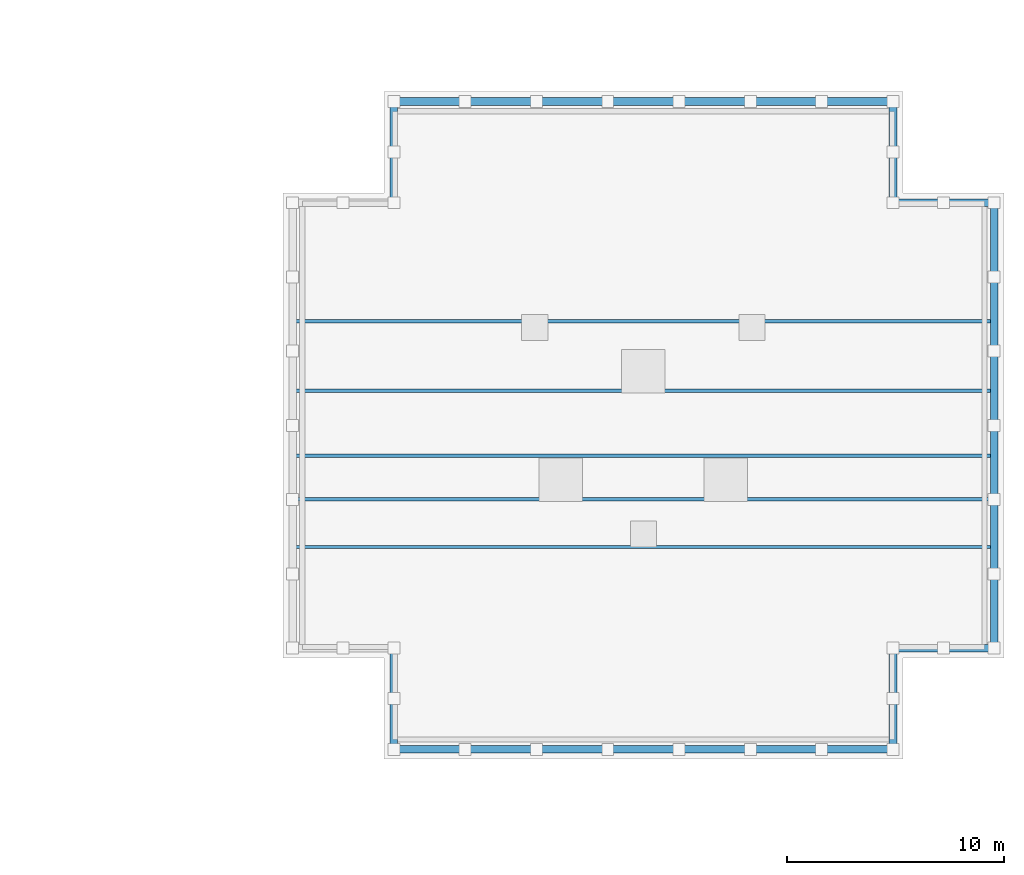
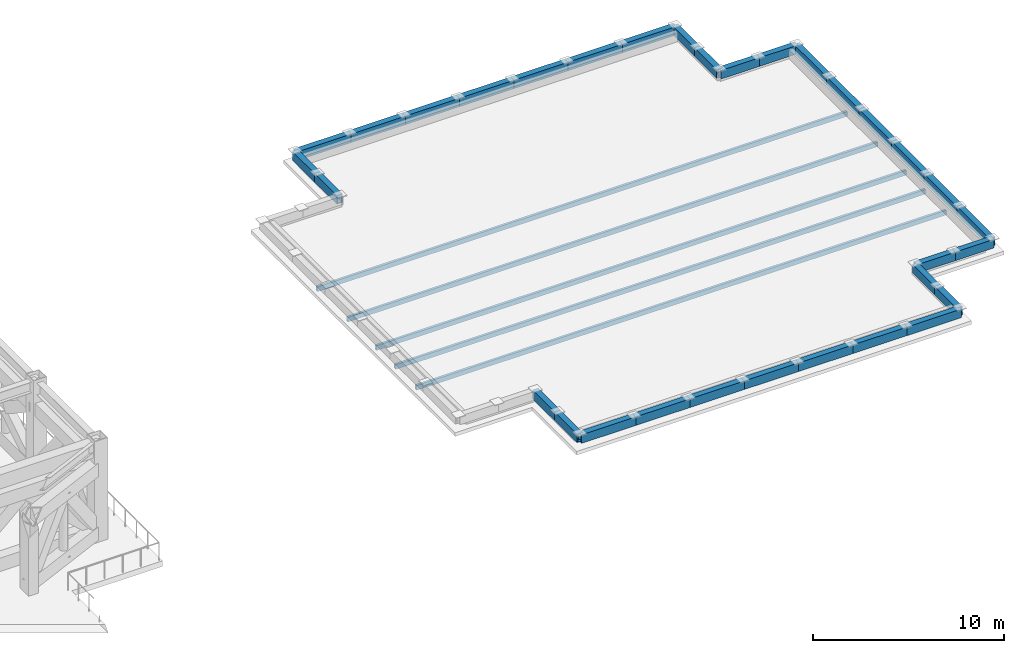
# One storey, part 3 of 11: 37 members.
"""IFC4 building model written with IfcOpenShell, lengths in metres."""

from ifc_helpers import new_model, si_unit, direction, frame, origin, origin_2d, place, context, subcontext, project, spatial, hollow_rectangle, extrude, material, material_profile, profile_set, type_object, element, save


model = new_model("IFC4")

# Units and contexts
model_context = context("Model", 3, precision=1e-05, world=origin(), true_north=direction((0.0, 1.0)))
body_context = subcontext(model_context, "Body", "Model", "MODEL_VIEW")
ifc_project = project(units=[si_unit("LENGTHUNIT", "METRE"), si_unit("AREAUNIT", "SQUARE_METRE"), si_unit("VOLUMEUNIT", "CUBIC_METRE"), si_unit("PLANEANGLEUNIT", "RADIAN"), si_unit("MASSUNIT", "GRAM", prefix="KILO")], contexts=[model_context])

# Site, building, storey
site_placement = place(None, origin())
site = spatial("IfcSite", under=ifc_project, at=site_placement, CompositionType="ELEMENT")
building_placement = place(site_placement, origin())
building = spatial("IfcBuilding", under=site, at=building_placement, Name="Mirazonda Arch Towers", CompositionType="ELEMENT")
storey_placement = place(building_placement, frame((0.0, 0.0, 212.89990234375)))
storey = spatial("IfcBuildingStorey", under=building, at=storey_placement, Name="L61", CompositionType="ELEMENT", Elevation=212.89990234375)

# Members
ifc_material = material(Name="Steel ASTM A572 Grade 50", Category="steel")
ifc_material_profile_1 = material_profile(ifc_material, hollow_rectangle(XDim=0.35009765625, YDim=0.550048828125, WallThickness=0.030029296875, at=origin_2d()), Name="CROWNFRAME550x350x30")
ifc_profile_set_1 = profile_set([ifc_material_profile_1], Name="Steel ASTM A572 Grade 50")
member_type_1 = type_object("IfcMemberType", Name="MBR-EXT-CROWNFRAME550x350x30", PredefinedType="USERDEFINED", material=ifc_profile_set_1)
for number, where, z_axis, x_axis, name in (
    (1, (65.01220703125, 13.091552734375, 0.47021484375), (1.0, 0.0, 0.0), (0.0, 1.0, 0.0), "T2 Ring Crown Cap Beam 3-01"),
    (2, (68.29443359375, 13.091552734375, 0.47021484375), (1.0, 0.0, 0.0), (0.0, 1.0, 0.0), "T2 Ring Crown Cap Beam 3-02"),
    (3, (71.57666015625, 13.091552734375, 0.47021484375), (1.0, 0.0, 0.0), (0.0, 1.0, 0.0), "T2 Ring Crown Cap Beam 3-03"),
    (4, (74.85888671875, 13.091552734375, 0.47021484375), (1.0, 0.0, 0.0), (0.0, 1.0, 0.0), "T2 Ring Crown Cap Beam 3-04"),
    (5, (78.14111328125, 13.091552734375, 0.47021484375), (1.0, 0.0, 0.0), (0.0, 1.0, 0.0), "T2 Ring Crown Cap Beam 3-05"),
    (6, (81.42333984375, 13.091552734375, 0.47021484375), (1.0, 0.0, 0.0), (0.0, 1.0, 0.0), "T2 Ring Crown Cap Beam 3-06"),
    (7, (84.70556640625, 13.091552734375, 0.47021484375), (1.0, 0.0, 0.0), (0.0, 1.0, 0.0), "T2 Ring Crown Cap Beam 3-07"),
):
    element("IfcMember", number, at=place(storey_placement, frame(where, z_axis=z_axis, x_axis=x_axis)), inside=storey, type_object=member_type_1, Name=name, ObjectType="CROWN FRAME", PredefinedType="USERDEFINED", context=body_context, shape_type="SweptSolid", body=[
        extrude(hollow_rectangle(XDim=0.35009765625, YDim=0.550048828125, WallThickness=0.030029296875, at=origin_2d()), origin(), (0.0, 0.0, 1.0), 3.2822265625),
    ])
for number, where, z_axis, x_axis, name in (
    (8, (87.98779296875, 13.091552734375, 0.47021484375), (0.0, 1.0, 0.0), (-1.0, 0.0, 0.0), "T2 Ring Crown Cap Beam 3-08"),
    (9, (87.98779296875, 15.42138671875, 0.47021484375), (0.0, 1.0, 0.0), (-1.0, 0.0, 0.0), "T2 Ring Crown Cap Beam 3-09"),
    (10, (87.98779296875, 17.751220703125, 0.47021484375), (1.0, 0.0, 0.0), (0.0, 1.0, 0.0), "T2 Ring Crown Cap Beam 3-10"),
    (11, (90.317626953125, 17.751220703125, 0.47021484375), (1.0, 0.0, 0.0), (0.0, 1.0, 0.0), "T2 Ring Crown Cap Beam 3-11"),
):
    element("IfcMember", number, at=place(storey_placement, frame(where, z_axis=z_axis, x_axis=x_axis)), inside=storey, type_object=member_type_1, Name=name, ObjectType="CROWN FRAME", PredefinedType="USERDEFINED", context=body_context, shape_type="SweptSolid", body=[
        extrude(hollow_rectangle(XDim=0.35009765625, YDim=0.550048828125, WallThickness=0.030029296875, at=origin_2d()), origin(), (0.0, 0.0, 1.0), 2.329833984375),
    ])
for number, where, z_axis, x_axis, name in (
    (12, (92.6474609375, 17.751220703125, 0.47021484375), (0.0, 1.0, 0.0), (-1.0, 0.0, 0.0), "T2 Ring Crown Cap Beam 3-12"),
    (13, (92.6474609375, 21.16748046875, 0.47021484375), (0.0, 1.0, 0.0), (-1.0, 0.0, 0.0), "T2 Ring Crown Cap Beam 3-13"),
    (14, (92.6474609375, 24.583740234375, 0.47021484375), (0.0, 1.0, 0.0), (-1.0, 0.0, 0.0), "T2 Ring Crown Cap Beam 3-14"),
    (15, (92.6474609375, 28.0, 0.47021484375), (0.0, 1.0, 0.0), (-1.0, 0.0, 0.0), "T2 Ring Crown Cap Beam 3-15"),
    (16, (92.6474609375, 31.416259765625, 0.47021484375), (0.0, 1.0, 0.0), (-1.0, 0.0, 0.0), "T2 Ring Crown Cap Beam 3-16"),
    (17, (92.6474609375, 34.83251953125, 0.47021484375), (0.0, 1.0, 0.0), (-1.0, 0.0, 0.0), "T2 Ring Crown Cap Beam 3-17"),
):
    element("IfcMember", number, at=place(storey_placement, frame(where, z_axis=z_axis, x_axis=x_axis)), inside=storey, type_object=member_type_1, Name=name, ObjectType="CROWN FRAME", PredefinedType="USERDEFINED", context=body_context, shape_type="SweptSolid", body=[
        extrude(hollow_rectangle(XDim=0.35009765625, YDim=0.550048828125, WallThickness=0.030029296875, at=origin_2d()), origin(), (0.0, 0.0, 1.0), 3.416259765625),
    ])
for number, where, z_axis, x_axis, name in (
    (18, (92.6474609375, 38.248779296875, 0.47021484375), (-1.0, 0.0, 0.0), (0.0, -1.0, 0.0), "T2 Ring Crown Cap Beam 3-18"),
    (19, (90.317626953125, 38.248779296875, 0.47021484375), (-1.0, 0.0, 0.0), (0.0, -1.0, 0.0), "T2 Ring Crown Cap Beam 3-19"),
    (20, (87.98779296875, 38.248779296875, 0.47021484375), (0.0, 1.0, 0.0), (-1.0, 0.0, 0.0), "T2 Ring Crown Cap Beam 3-20"),
    (21, (87.98779296875, 40.57861328125, 0.47021484375), (0.0, 1.0, 0.0), (-1.0, 0.0, 0.0), "T2 Ring Crown Cap Beam 3-21"),
):
    element("IfcMember", number, at=place(storey_placement, frame(where, z_axis=z_axis, x_axis=x_axis)), inside=storey, type_object=member_type_1, Name=name, ObjectType="CROWN FRAME", PredefinedType="USERDEFINED", context=body_context, shape_type="SweptSolid", body=[
        extrude(hollow_rectangle(XDim=0.35009765625, YDim=0.550048828125, WallThickness=0.030029296875, at=origin_2d()), origin(), (0.0, 0.0, 1.0), 2.329833984375),
    ])
for number, where, z_axis, x_axis, name in (
    (22, (87.98779296875, 42.908447265625, 0.47021484375), (-1.0, 0.0, 0.0), (0.0, -1.0, 0.0), "T2 Ring Crown Cap Beam 3-22"),
    (23, (84.70556640625, 42.908447265625, 0.47021484375), (-1.0, 0.0, 0.0), (0.0, -1.0, 0.0), "T2 Ring Crown Cap Beam 3-23"),
    (24, (81.42333984375, 42.908447265625, 0.47021484375), (-1.0, 0.0, 0.0), (0.0, -1.0, 0.0), "T2 Ring Crown Cap Beam 3-24"),
    (25, (78.14111328125, 42.908447265625, 0.47021484375), (-1.0, 0.0, 0.0), (0.0, -1.0, 0.0), "T2 Ring Crown Cap Beam 3-25"),
    (26, (74.85888671875, 42.908447265625, 0.47021484375), (-1.0, 0.0, 0.0), (0.0, -1.0, 0.0), "T2 Ring Crown Cap Beam 3-26"),
    (27, (71.57666015625, 42.908447265625, 0.47021484375), (-1.0, 0.0, 0.0), (0.0, -1.0, 0.0), "T2 Ring Crown Cap Beam 3-27"),
    (28, (68.29443359375, 42.908447265625, 0.47021484375), (-1.0, 0.0, 0.0), (0.0, -1.0, 0.0), "T2 Ring Crown Cap Beam 3-28"),
):
    element("IfcMember", number, at=place(storey_placement, frame(where, z_axis=z_axis, x_axis=x_axis)), inside=storey, type_object=member_type_1, Name=name, ObjectType="CROWN FRAME", PredefinedType="USERDEFINED", context=body_context, shape_type="SweptSolid", body=[
        extrude(hollow_rectangle(XDim=0.35009765625, YDim=0.550048828125, WallThickness=0.030029296875, at=origin_2d()), origin(), (0.0, 0.0, 1.0), 3.2822265625),
    ])
for number, where, z_axis, x_axis, name in (
    (29, (65.01220703125, 42.908447265625, 0.47021484375), (0.0, -1.0, 0.0), (1.0, 0.0, 0.0), "T2 Ring Crown Cap Beam 3-29"),
    (30, (65.01220703125, 40.57861328125, 0.47021484375), (0.0, -1.0, 0.0), (1.0, 0.0, 0.0), "T2 Ring Crown Cap Beam 3-30"),
    (31, (65.01220703125, 17.751220703125, 0.47021484375), (0.0, -1.0, 0.0), (1.0, 0.0, 0.0), "T2 Ring Crown Cap Beam 3-41"),
    (32, (65.01220703125, 15.42138671875, 0.47021484375), (0.0, -1.0, 0.0), (1.0, 0.0, 0.0), "T2 Ring Crown Cap Beam 3-42"),
):
    element("IfcMember", number, at=place(storey_placement, frame(where, z_axis=z_axis, x_axis=x_axis)), inside=storey, type_object=member_type_1, Name=name, ObjectType="CROWN FRAME", PredefinedType="USERDEFINED", context=body_context, shape_type="SweptSolid", body=[
        extrude(hollow_rectangle(XDim=0.35009765625, YDim=0.550048828125, WallThickness=0.030029296875, at=origin_2d()), origin(), (0.0, 0.0, 1.0), 2.329833984375),
    ])
ifc_material_profile_2 = material_profile(ifc_material, hollow_rectangle(XDim=0.14990234375, YDim=0.300048828125, WallThickness=0.011962890625, at=origin_2d()), Name="ROOFPURLIN300x150x12")
ifc_profile_set_2 = profile_set([ifc_material_profile_2], Name="Steel ASTM A572 Grade 50")
member_type_2 = type_object("IfcMemberType", Name="MBR-EXT-ROOFPURLIN300x150x12", PredefinedType="PURLIN", material=ifc_profile_set_2)
for number, where, z_axis, x_axis, name in (
    (33, (60.472412109375, 22.39990234375, -0.3798828125), (1.0, 0.0, 0.0), (0.0, 1.0, 0.0), "T2 Crown Roof Purlin 1"),
    (34, (60.472412109375, 32.800048828125, -0.3798828125), (1.0, 0.0, 0.0), (0.0, 1.0, 0.0), "T2 Crown Roof Purlin 5"),
):
    element("IfcMember", number, at=place(storey_placement, frame(where, z_axis=z_axis, x_axis=x_axis)), inside=storey, type_object=member_type_2, Name=name, PredefinedType="PURLIN", context=body_context, shape_type="SweptSolid", body=[
        extrude(hollow_rectangle(XDim=0.14990234375, YDim=0.300048828125, WallThickness=0.011962890625, at=origin_2d()), origin(), (0.0, 0.0, 1.0), 32.05517578125),
    ])
ifc_material_profile_3 = material_profile(ifc_material, hollow_rectangle(XDim=0.14990234375, YDim=0.300048828125, WallThickness=0.011962890625, at=origin_2d()), Name="ROOFPURLIN300x150x12")
ifc_profile_set_3 = profile_set([ifc_material_profile_3], Name="Steel ASTM A572 Grade 50")
member_type_3 = type_object("IfcMemberType", Name="MBR-INT-ROOFPURLIN300x150x12", PredefinedType="PURLIN", material=ifc_profile_set_3)
for number, where, z_axis, x_axis, name in (
    (35, (60.472412109375, 24.60009765625, -0.3798828125), (1.0, 0.0, 0.0), (0.0, 1.0, 0.0), "T2 Crown Roof Purlin 2"),
    (36, (60.472412109375, 26.60009765625, -0.3798828125), (1.0, 0.0, 0.0), (0.0, 1.0, 0.0), "T2 Crown Roof Purlin 3"),
    (37, (60.472412109375, 29.60009765625, -0.3798828125), (1.0, 0.0, 0.0), (0.0, 1.0, 0.0), "T2 Crown Roof Purlin 4"),
):
    element("IfcMember", number, at=place(storey_placement, frame(where, z_axis=z_axis, x_axis=x_axis)), inside=storey, type_object=member_type_3, Name=name, PredefinedType="PURLIN", context=body_context, shape_type="SweptSolid", body=[
        extrude(hollow_rectangle(XDim=0.14990234375, YDim=0.300048828125, WallThickness=0.011962890625, at=origin_2d()), origin(), (0.0, 0.0, 1.0), 32.05517578125),
    ])

save(model, "model.ifc")
